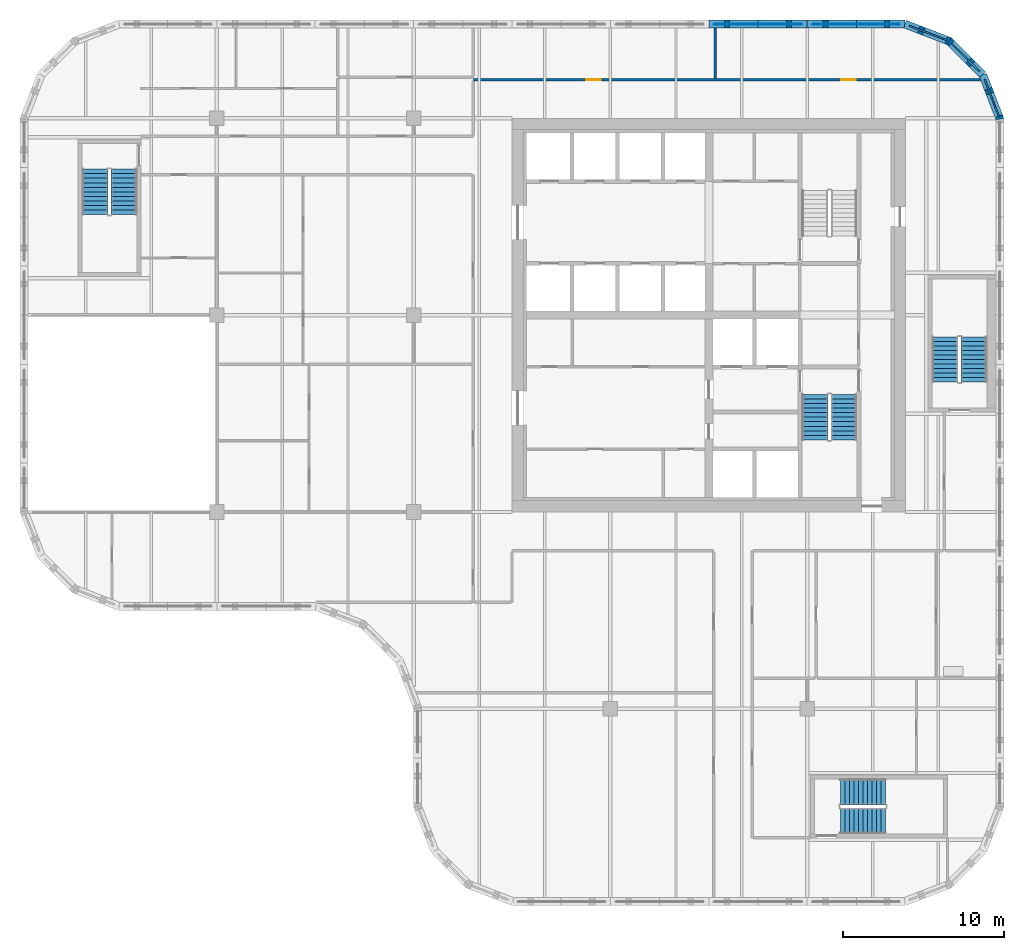
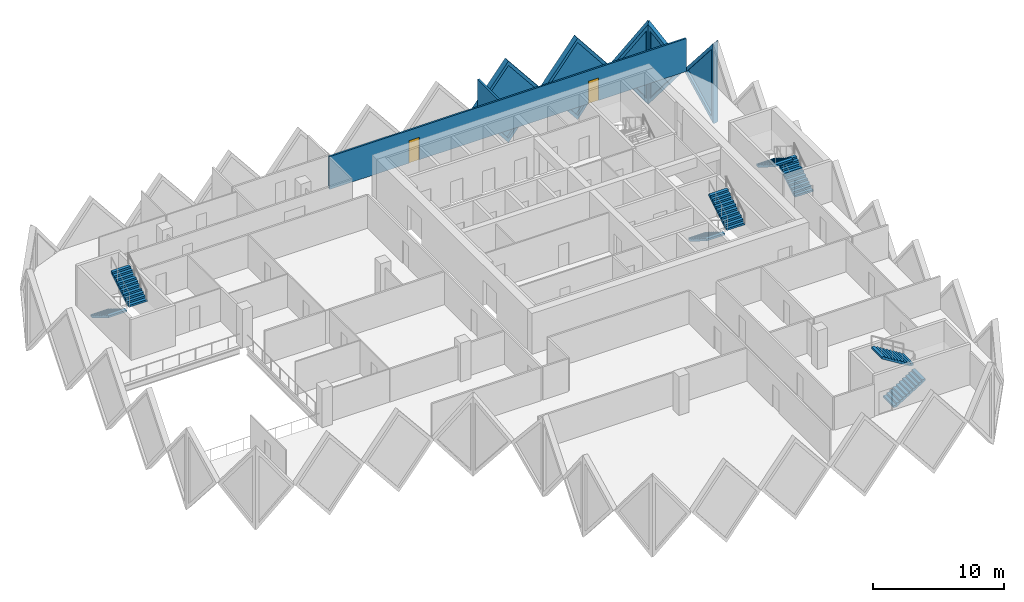
# One storey, part 10 of 13: 8 stair flights, 7 walls, 5 plates, 2 doors, 7 openings, 4 elements without a shape of their own.
"""IFC4 building model written with IfcOpenShell, lengths in metres."""

from ifc_helpers import new_model, si_unit, direction, frame, frame_2d, origin, place, context, subcontext, project, spatial, polyline, rectangle, outline, extrude, faceted_brep, source, transform, mapped, material, layer, layer_set, type_object, element, fill, aggregate, save


model = new_model("IFC4")

# Units and contexts
model_context = context("Model", 3, precision=1e-05, world=origin(), true_north=direction((0.0, 1.0)))
body_context = subcontext(model_context, "Body", "Model", "MODEL_VIEW")
ifc_project = project(units=[si_unit("LENGTHUNIT", "METRE"), si_unit("AREAUNIT", "SQUARE_METRE"), si_unit("VOLUMEUNIT", "CUBIC_METRE"), si_unit("PLANEANGLEUNIT", "RADIAN"), si_unit("MASSUNIT", "GRAM", prefix="KILO")], contexts=[model_context])

# Site, building, storey
site_placement = place(None, origin())
site = spatial("IfcSite", under=ifc_project, at=site_placement, CompositionType="ELEMENT")
building_placement = place(site_placement, origin())
building = spatial("IfcBuilding", under=site, at=building_placement, Name="Tessera Gate Towers", CompositionType="ELEMENT")
storey_placement = place(building_placement, frame((0.0, 0.0, 131.60009765625)))
storey = spatial("IfcBuildingStorey", under=building, at=storey_placement, Name="L32", CompositionType="ELEMENT", Elevation=131.60009765625)

# Wall, openings, doors
ifc_material_1 = material(Name="Gypsum board on steel studs, mineral wool", Category="steel")
ifc_layer_1 = layer(ifc_material_1, 0.14990234375)
ifc_layer_set_1 = layer_set([ifc_layer_1], Name="CORRIDOR WALL 150")
wall_type_1 = type_object("IfcWallType", Name="CORRIDOR WALL 150", PredefinedType="PARTITIONING", material=ifc_layer_set_1)
wall_1_placement = place(storey_placement, frame((28.10009765625, 51.199951171875, 0.0), z_axis=(0.0, 0.0, 1.0), x_axis=(1.0, 0.0, 0.0)))
wall_1 = element("IfcWall", 1, at=wall_1_placement, inside=storey, type_object=wall_type_1, Name="T1-L32-PW-046", PredefinedType="PARTITIONING", context=body_context, shape_type="SweptSolid", body=[
    extrude(rectangle(XDim=31.438232421875, YDim=0.14990234375, at=frame_2d((15.71923828125, 0.0))), origin(), (0.0, 0.0, 1.0), 3.06689453125),
])
shared_shape_1 = source(origin(), body_context, "Body", "SweptSolid", [
    extrude(rectangle(XDim=0.89990234375, YDim=2.10009765625, at=frame_2d((0.449951171875, 1.050048828125))), frame((0.0, 0.0849609375, 0.0), z_axis=(0.0, -1.0, 0.0), x_axis=(1.0, 0.0, 0.0)), (0.0, 0.0, 1.0), 0.169921875),
])
opening_1_placement = place(wall_1_placement, frame((7.0, 0.0, 0.0)))
opening_1 = element("IfcOpeningElement", 2, at=opening_1_placement, cuts=wall_1, Name="Opening D890FD60-A11-08", PredefinedType="OPENING", context=body_context, shape_type="MappedRepresentation", body=[
    mapped(shared_shape_1, transform((0.0, 0.0, 0.0), scale=1.0)),
])
opening_2_placement = place(wall_1_placement, frame((22.800048828125, 0.0, 0.0)))
opening_2 = element("IfcOpeningElement", 3, at=opening_2_placement, cuts=wall_1, Name="Opening D890FD60-A11-09", PredefinedType="OPENING", context=body_context, shape_type="MappedRepresentation", body=[
    mapped(shared_shape_1, transform((0.0, 0.0, 0.0), scale=1.0)),
])
ifc_material_2 = material(Name="Timber door leaf in steel frame", Category="steel")
door_type = type_object("IfcDoorType", Name="CORRIDOR DOOR 900 FD60", OperationType="NOTDEFINED", PredefinedType="DOOR", material=ifc_material_2)
shared_shape_2 = source(origin(), body_context, "Body", "SweptSolid", [
    extrude(rectangle(XDim=0.89990234375, YDim=2.10009765625, at=frame_2d((0.449951171875, 1.050048828125))), frame((0.0, 0.02490234375, 0.0), z_axis=(0.0, -1.0, 0.0), x_axis=(1.0, 0.0, 0.0)), (0.0, 0.0, 1.0), 0.050048828125),
])
door_1_placement = place(opening_1_placement, origin())
door_1 = element("IfcDoor", 4, at=door_1_placement, inside=storey, type_object=door_type, Name="T1-L32-PD-024", OperationType="SINGLE_SWING_LEFT", OverallHeight=2.10009765625, OverallWidth=0.89990234375, PredefinedType="DOOR", context=body_context, shape_type="MappedRepresentation", body=[
    mapped(shared_shape_2, transform((0.0, 0.0, 0.0), scale=1.0)),
])
fill(opening_1, door_1)
door_2_placement = place(opening_2_placement, origin())
door_2 = element("IfcDoor", 5, at=door_2_placement, inside=storey, type_object=door_type, Name="T1-L32-PD-025", OperationType="SINGLE_SWING_LEFT", OverallHeight=2.10009765625, OverallWidth=0.89990234375, PredefinedType="DOOR", context=body_context, shape_type="MappedRepresentation", body=[
    mapped(shared_shape_2, transform((0.0, 0.0, 0.0), scale=1.0)),
])
fill(opening_2, door_2)

# Wall
ifc_material_3 = material(Name="Gypsum board on steel studs, mineral wool", Category="steel")
ifc_layer_2 = layer(ifc_material_3, 0.14990234375)
ifc_layer_set_2 = layer_set([ifc_layer_2], Name="TENANCY WALL 150")
wall_type_2 = type_object("IfcWallType", Name="TENANCY WALL 150", PredefinedType="PARTITIONING", material=ifc_layer_set_2)
wall_2_placement = place(storey_placement, frame((43.10009765625, 51.27587890625, 0.0), z_axis=(0.0, 0.0, 1.0), x_axis=(0.0, 1.0, 0.0)))
element("IfcWall", 6, at=wall_2_placement, inside=storey, type_object=wall_type_2, Name="T1-L32-PW-047", PredefinedType="PARTITIONING", context=body_context, shape_type="SweptSolid", body=[
    extrude(rectangle(XDim=3.1240234375, YDim=0.14990234375, at=frame_2d((1.56201171875, 0.0))), origin(), (0.0, 0.0, 1.0), 3.06689453125),
])

# Wall, opening, plate
ifc_material_4 = material(Name="Precast concrete C60/75 white", Category="concrete")
ifc_layer_3 = layer(ifc_material_4, 0.5)
ifc_layer_set_3 = layer_set([ifc_layer_3], Name="TS1 tessera")
wall_type_3 = type_object("IfcWallType", Name="TS1 tessera", PredefinedType="SOLIDWALL", material=ifc_layer_set_3)
shared_shape_3 = source(origin(), body_context, "Body", "Brep", [
    faceted_brep([(3.00341796875, -0.25, 0.0), (6.053466796875, -0.25, 3.800048828125), (3.00341796875, -0.25, 7.599853515625), (0.0, -0.25, 3.800048828125), (0.046630859375, 0.25, 3.85888671875), (3.00341796875, 0.25, 7.599853515625), (6.053466796875, 0.25, 3.800048828125), (3.00341796875, 0.25, 0.0), (0.046630859375, 0.25, 3.7412109375), (0.0, 0.0, 3.800048828125)], [[[0, 1, 2, 3]], [[4, 5, 6, 7, 8]], [[7, 6, 1, 0]], [[6, 5, 2, 1]], [[5, 4, 9, 3, 2]], [[8, 7, 0, 3, 9]], [[8, 9, 4]]]),
])
wall_3_placement = place(storey_placement, frame((54.853515625, 54.64990234375, -3.800048828125), z_axis=(0.0, 0.0, 1.0), x_axis=(-1.0, 0.0, 0.0)))
wall_3 = element("IfcWall", 7, at=wall_3_placement, inside=storey, type_object=wall_type_3, Name="Precast tessera T1 TS1-0539", PredefinedType="SOLIDWALL", context=body_context, shape_type="MappedRepresentation", body=[
    mapped(shared_shape_3, transform((0.0, 0.0, 0.0), scale=1.0)),
])
shared_shape_4 = source(origin(), body_context, "Body", "SweptSolid", [
    extrude(outline(polyline([(3.0048828125, 0.401123046875), (5.73291015625, 3.800048828125), (3.0048828125, 7.19873046875), (0.318603515625, 3.800048828125), (3.0048828125, 0.401123046875)])), frame((0.0, 0.260009765625, 0.0), z_axis=(0.0, -1.0, 0.0), x_axis=(1.0, 0.0, 0.0)), (0.0, 0.0, 1.0), 0.52001953125),
])
opening_3_placement = place(wall_3_placement, origin())
opening_3 = element("IfcOpeningElement", 8, at=opening_3_placement, cuts=wall_3, Name="Opening T1-PL2-1099", PredefinedType="OPENING", context=body_context, shape_type="MappedRepresentation", body=[
    mapped(shared_shape_4, transform((0.0, 0.0, 0.0), scale=1.0)),
])
ifc_material_5 = material(Name="Low-e laminated glass", Category="glass")
ifc_layer_4 = layer(ifc_material_5, 0.06005859375)
ifc_layer_set_4 = layer_set([ifc_layer_4], Name="PL2 rhombic pane")
plate_type = type_object("IfcPlateType", Name="PL2 rhombic pane", PredefinedType="SHEET", material=ifc_layer_set_4)
shared_shape_5 = source(origin(), body_context, "Body", "SweptSolid", [
    extrude(outline(polyline([(3.0048828125, 0.401123046875), (5.73291015625, 3.800048828125), (3.0048828125, 7.19873046875), (0.318603515625, 3.800048828125), (3.0048828125, 0.401123046875)])), frame((0.0, 0.030029296875, 0.0), z_axis=(0.0, -1.0, 0.0), x_axis=(1.0, 0.0, 0.0)), (0.0, 0.0, 1.0), 0.06005859375),
])
plate_1_placement = place(opening_3_placement, origin())
plate_1 = element("IfcPlate", 9, at=plate_1_placement, inside=storey, type_object=plate_type, Name="Glass pane T1 PL2-1099", PredefinedType="SHEET", context=body_context, shape_type="MappedRepresentation", body=[
    mapped(shared_shape_5, transform((0.0, 0.0, 0.0), scale=1.0)),
])
fill(opening_3, plate_1)

shared_shape_6 = source(origin(), body_context, "Body", "SweptSolid", [
    extrude(outline(polyline([(3.050048828125, 0.0), (6.10009765625, 3.800048828125), (3.050048828125, 7.599853515625), (0.0, 3.800048828125), (3.050048828125, 0.0)])), frame((0.0, 0.25, 0.0), z_axis=(0.0, -1.0, 0.0), x_axis=(1.0, 0.0, 0.0)), (0.0, 0.0, 1.0), 0.5),
])
wall_4_placement = place(storey_placement, frame((48.800048828125, 54.64990234375, -3.800048828125), z_axis=(0.0, 0.0, 1.0), x_axis=(-1.0, 0.0, 0.0)))
wall_4 = element("IfcWall", 10, at=wall_4_placement, inside=storey, type_object=wall_type_3, Name="Precast tessera T1 TS1-0540", PredefinedType="SOLIDWALL", context=body_context, shape_type="MappedRepresentation", body=[
    mapped(shared_shape_6, transform((0.0, 0.0, 0.0), scale=1.0)),
])
shared_shape_7 = source(origin(), body_context, "Body", "SweptSolid", [
    extrude(outline(polyline([(3.050048828125, 0.3994140625), (5.779541015625, 3.800048828125), (3.050048828125, 7.200439453125), (0.320556640625, 3.800048828125), (3.050048828125, 0.3994140625)])), frame((0.0, 0.260009765625, 0.0), z_axis=(0.0, -1.0, 0.0), x_axis=(1.0, 0.0, 0.0)), (0.0, 0.0, 1.0), 0.52001953125),
])
opening_4_placement = place(wall_4_placement, origin())
opening_4 = element("IfcOpeningElement", 11, at=opening_4_placement, cuts=wall_4, Name="Opening T1-PL2-1100", PredefinedType="OPENING", context=body_context, shape_type="MappedRepresentation", body=[
    mapped(shared_shape_7, transform((0.0, 0.0, 0.0), scale=1.0)),
])
shared_shape_8 = source(origin(), body_context, "Body", "SweptSolid", [
    extrude(outline(polyline([(3.050048828125, 0.3994140625), (5.779541015625, 3.800048828125), (3.050048828125, 7.200439453125), (0.320556640625, 3.800048828125), (3.050048828125, 0.3994140625)])), frame((0.0, 0.030029296875, 0.0), z_axis=(0.0, -1.0, 0.0), x_axis=(1.0, 0.0, 0.0)), (0.0, 0.0, 1.0), 0.06005859375),
])
plate_2_placement = place(opening_4_placement, origin())
plate_2 = element("IfcPlate", 12, at=plate_2_placement, inside=storey, type_object=plate_type, Name="Glass pane T1 PL2-1100", PredefinedType="SHEET", context=body_context, shape_type="MappedRepresentation", body=[
    mapped(shared_shape_8, transform((0.0, 0.0, 0.0), scale=1.0)),
])
fill(opening_4, plate_2)

ifc_material_6 = material(Name="Precast concrete C60/75 white", Category="concrete")
ifc_layer_5 = layer(ifc_material_6, 0.5)
ifc_layer_set_5 = layer_set([ifc_layer_5], Name="TS3 corner tessera")
wall_type_4 = type_object("IfcWallType", Name="TS3 corner tessera", PredefinedType="SOLIDWALL", material=ifc_layer_set_5)
shared_shape_9 = source(origin(), body_context, "Body", "Brep", [
    faceted_brep([(0.046630859375, -0.25, 0.0), (2.9970703125, -0.25, 3.800048828125), (0.046630859375, -0.25, 7.599853515625), (0.0, -0.25, 7.541015625), (0.0, -0.25, 0.058837890625), (0.09326171875, 0.25, 7.539794921875), (2.9443359375, 0.25, 3.8681640625), (2.9443359375, 0.25, 3.73193359375), (0.09326171875, 0.25, 0.06005859375), (2.9970703125, 0.00048828125, 3.800048828125), (0.046630859375, 0.0, 0.0), (0.046630859375, 0.0, 7.599853515625)], [[[0, 1, 2, 3, 4]], [[5, 6, 7, 8]], [[8, 7, 9, 1, 0, 10]], [[6, 5, 11, 2, 1, 9]], [[3, 2, 11]], [[10, 0, 4]], [[8, 10, 4, 3, 11, 5]], [[7, 6, 9]]]),
])
wall_5_placement = place(storey_placement, frame((60.766845703125, 48.7099609375, -3.800048828125), z_axis=(0.0, 0.0, 1.0), x_axis=(-0.359901446078, 0.932990326376, 0.0)))
wall_5 = element("IfcWall", 13, at=wall_5_placement, inside=storey, type_object=wall_type_4, Name="Precast corner tessera T1 TS3-0726", PredefinedType="SOLIDWALL", context=body_context, shape_type="MappedRepresentation", body=[
    mapped(shared_shape_9, transform((0.0, 0.0, 0.0), scale=1.0)),
])
shared_shape_10 = source(origin(), body_context, "Body", "SweptSolid", [
    extrude(outline(polyline([(0.24658203125, 0.665283203125), (2.6806640625, 3.800048828125), (0.24658203125, 6.934814453125), (0.24658203125, 0.665283203125)])), frame((0.0, 0.260009765625, 0.0), z_axis=(0.0, -1.0, 0.0), x_axis=(1.0, 0.0, 0.0)), (0.0, 0.0, 1.0), 0.52001953125),
])
opening_5_placement = place(wall_5_placement, origin())
opening_5 = element("IfcOpeningElement", 14, at=opening_5_placement, cuts=wall_5, Name="Opening T1-PL2-1096", PredefinedType="OPENING", context=body_context, shape_type="MappedRepresentation", body=[
    mapped(shared_shape_10, transform((0.0, 0.0, 0.0), scale=1.0)),
])
shared_shape_11 = source(origin(), body_context, "Body", "SweptSolid", [
    extrude(outline(polyline([(0.24658203125, 0.665283203125), (2.6806640625, 3.800048828125), (0.24658203125, 6.934814453125), (0.24658203125, 0.665283203125)])), frame((0.0, 0.030029296875, 0.0), z_axis=(0.0, -1.0, 0.0), x_axis=(1.0, 0.0, 0.0)), (0.0, 0.0, 1.0), 0.06005859375),
])
plate_3_placement = place(opening_5_placement, origin())
plate_3 = element("IfcPlate", 15, at=plate_3_placement, inside=storey, type_object=plate_type, Name="Glass pane T1 PL2-1096", PredefinedType="SHEET", context=body_context, shape_type="MappedRepresentation", body=[
    mapped(shared_shape_11, transform((0.0, 0.0, 0.0), scale=1.0)),
])
fill(opening_5, plate_3)

shared_shape_12 = source(origin(), body_context, "Body", "Brep", [
    faceted_brep([(2.944091796875, -0.25, 0.0), (2.9970703125, -0.25, 0.068115234375), (2.9970703125, -0.25, 7.53173828125), (2.944091796875, -0.25, 7.599853515625), (0.0, -0.25, 3.800048828125), (0.052978515625, 0.25, 3.868408203125), (2.89111328125, 0.25, 7.53173828125), (2.89111328125, 0.25, 0.068115234375), (0.052978515625, 0.25, 3.731689453125), (2.944091796875, 0.000244140625, 0.0), (2.944091796875, 0.000244140625, 7.599853515625), (0.0, 0.0, 3.800048828125)], [[[0, 1, 2, 3, 4]], [[5, 6, 7, 8]], [[1, 0, 9]], [[10, 3, 2]], [[6, 5, 11, 4, 3, 10]], [[8, 7, 9, 0, 4, 11]], [[8, 11, 5]], [[1, 9, 7, 6, 10, 2]]]),
])
wall_6_placement = place(storey_placement, frame((59.68798828125, 51.50634765625, -3.800048828125), z_axis=(0.0, 0.0, 1.0), x_axis=(-0.707106781187, 0.707106781187, 0.0)))
wall_6 = element("IfcWall", 16, at=wall_6_placement, inside=storey, type_object=wall_type_4, Name="Precast corner tessera T1 TS3-0727", PredefinedType="SOLIDWALL", context=body_context, shape_type="MappedRepresentation", body=[
    mapped(shared_shape_12, transform((0.0, 0.0, 0.0), scale=1.0)),
])
shared_shape_13 = source(origin(), body_context, "Body", "SweptSolid", [
    extrude(outline(polyline([(2.744140625, 6.93359375), (0.316162109375, 3.800048828125), (2.744140625, 0.666259765625), (2.744140625, 6.93359375)])), frame((0.0, 0.260009765625, 0.0), z_axis=(0.0, -1.0, 0.0), x_axis=(1.0, 0.0, 0.0)), (0.0, 0.0, 1.0), 0.52001953125),
])
opening_6_placement = place(wall_6_placement, origin())
opening_6 = element("IfcOpeningElement", 17, at=opening_6_placement, cuts=wall_6, Name="Opening T1-PL2-1097", PredefinedType="OPENING", context=body_context, shape_type="MappedRepresentation", body=[
    mapped(shared_shape_13, transform((0.0, 0.0, 0.0), scale=1.0)),
])
shared_shape_14 = source(origin(), body_context, "Body", "SweptSolid", [
    extrude(outline(polyline([(2.744140625, 6.93359375), (0.316162109375, 3.800048828125), (2.744140625, 0.666259765625), (2.744140625, 6.93359375)])), frame((0.0, 0.030029296875, 0.0), z_axis=(0.0, -1.0, 0.0), x_axis=(1.0, 0.0, 0.0)), (0.0, 0.0, 1.0), 0.06005859375),
])
plate_4_placement = place(opening_6_placement, origin())
plate_4 = element("IfcPlate", 18, at=plate_4_placement, inside=storey, type_object=plate_type, Name="Glass pane T1 PL2-1097", PredefinedType="SHEET", context=body_context, shape_type="MappedRepresentation", body=[
    mapped(shared_shape_14, transform((0.0, 0.0, 0.0), scale=1.0)),
])
fill(opening_6, plate_4)

shared_shape_15 = source(origin(), body_context, "Body", "Brep", [
    faceted_brep([(0.052978515625, -0.25, 0.0), (3.00341796875, -0.25, 3.800048828125), (0.052978515625, -0.25, 7.599853515625), (0.0, -0.25, 7.531494140625), (0.0, -0.25, 0.068359375), (0.10595703125, 0.25, 7.53173828125), (2.95703125, 0.25, 3.85986328125), (2.95703125, 0.25, 3.740234375), (0.10595703125, 0.25, 0.068115234375), (3.00341796875, 0.00048828125, 3.800048828125), (0.052978515625, 0.0, 0.0), (0.052978515625, 0.0, 7.599853515625)], [[[0, 1, 2, 3, 4]], [[5, 6, 7, 8]], [[8, 7, 9, 1, 0, 10]], [[6, 5, 11, 2, 1, 9]], [[3, 2, 11]], [[10, 0, 4]], [[8, 10, 4, 3, 11, 5]], [[7, 6, 9]]]),
])
wall_7_placement = place(storey_placement, frame((57.65576171875, 53.569091796875, -3.800048828125), z_axis=(0.0, 0.0, 1.0), x_axis=(-0.933007896601, 0.359855894603, 0.0)))
wall_7 = element("IfcWall", 19, at=wall_7_placement, inside=storey, type_object=wall_type_4, Name="Precast corner tessera T1 TS3-0728", PredefinedType="SOLIDWALL", context=body_context, shape_type="MappedRepresentation", body=[
    mapped(shared_shape_15, transform((0.0, 0.0, 0.0), scale=1.0)),
])
shared_shape_16 = source(origin(), body_context, "Body", "SweptSolid", [
    extrude(outline(polyline([(0.2529296875, 0.665283203125), (2.68701171875, 3.800048828125), (0.2529296875, 6.934814453125), (0.2529296875, 0.665283203125)])), frame((0.0, 0.260009765625, 0.0), z_axis=(0.0, -1.0, 0.0), x_axis=(1.0, 0.0, 0.0)), (0.0, 0.0, 1.0), 0.52001953125),
])
opening_7_placement = place(wall_7_placement, origin())
opening_7 = element("IfcOpeningElement", 20, at=opening_7_placement, cuts=wall_7, Name="Opening T1-PL2-1098", PredefinedType="OPENING", context=body_context, shape_type="MappedRepresentation", body=[
    mapped(shared_shape_16, transform((0.0, 0.0, 0.0), scale=1.0)),
])
shared_shape_17 = source(origin(), body_context, "Body", "SweptSolid", [
    extrude(outline(polyline([(0.2529296875, 0.665283203125), (2.68701171875, 3.800048828125), (0.2529296875, 6.934814453125), (0.2529296875, 0.665283203125)])), frame((0.0, 0.030029296875, 0.0), z_axis=(0.0, -1.0, 0.0), x_axis=(1.0, 0.0, 0.0)), (0.0, 0.0, 1.0), 0.06005859375),
])
plate_5_placement = place(opening_7_placement, origin())
plate_5 = element("IfcPlate", 21, at=plate_5_placement, inside=storey, type_object=plate_type, Name="Glass pane T1 PL2-1098", PredefinedType="SHEET", context=body_context, shape_type="MappedRepresentation", body=[
    mapped(shared_shape_17, transform((0.0, 0.0, 0.0), scale=1.0)),
])
fill(opening_7, plate_5)

# Stair, stair flights
ifc_material_7 = material(Name="Concrete C40/50", Category="concrete")
stair_type_1 = type_object("IfcStairType", Name="EXIT STAIR ST1 1600", PredefinedType="HALF_TURN_STAIR", material=ifc_material_7)
stair_1_placement = place(storey_placement, origin())
stair_1 = element("IfcStair", 22, at=stair_1_placement, inside=storey, type_object=stair_type_1, Name="L32 Protected Exit Stair ST1", PredefinedType="HALF_TURN_STAIR")
ifc_material_8 = material(Name="Concrete C40/50", Category="concrete")
stair_flight_type_1 = type_object("IfcStairFlightType", Name="EXIT STAIR FLIGHT ST1 1600", PredefinedType="STRAIGHT", material=ifc_material_8)
stair_flight_1_placement = place(storey_placement, frame((49.27490234375, 31.675048828125, 0.0), z_axis=(0.0, 0.0, 1.0), x_axis=(0.0, -1.0, 0.0)))
stair_flight_1 = element("IfcStairFlight", 23, at=stair_flight_1_placement, type_object=stair_flight_type_1, Name="ST1 flight 1", NumberOfRisers=11, NumberOfTreads=10, PredefinedType="STRAIGHT", RiserHeight=0.172727273, TreadLength=0.28, context=body_context, shape_type="SweptSolid", body=[
    extrude(outline(polyline([(0.0, 0.0), (0.0, 0.172607421875), (0.280029296875, 0.172607421875), (0.280029296875, 0.345458984375), (0.56005859375, 0.345458984375), (0.56005859375, 0.51806640625), (0.840087890625, 0.51806640625), (0.840087890625, 0.69091796875), (1.1201171875, 0.69091796875), (1.1201171875, 0.863525390625), (1.39990234375, 0.863525390625), (1.39990234375, 1.036376953125), (1.679931640625, 1.036376953125), (1.679931640625, 1.208984375), (1.9599609375, 1.208984375), (1.9599609375, 1.3818359375), (2.239990234375, 1.3818359375), (2.239990234375, 1.554443359375), (2.52001953125, 1.554443359375), (2.52001953125, 1.727294921875), (2.800048828125, 1.727294921875), (2.800048828125, 1.89990234375), (2.800048828125, 1.551025390625), (0.285400390625, 0.0), (0.0, 0.0)])), frame((0.0, 0.800048828125, 0.0), z_axis=(0.0, -1.0, 0.0), x_axis=(1.0, 0.0, 0.0)), (0.0, 0.0, 1.0), 1.60009765625),
])
stair_flight_2_placement = place(storey_placement, frame((51.074951171875, 28.875, 1.89990234375), z_axis=(0.0, 0.0, 1.0), x_axis=(0.0, 1.0, 0.0)))
stair_flight_2 = element("IfcStairFlight", 24, at=stair_flight_2_placement, type_object=stair_flight_type_1, Name="ST1 flight 2", NumberOfRisers=11, NumberOfTreads=10, PredefinedType="STRAIGHT", RiserHeight=0.172727273, TreadLength=0.28, context=body_context, shape_type="SweptSolid", body=[
    extrude(outline(polyline([(0.0, 0.0), (0.0, 0.172607421875), (0.280029296875, 0.172607421875), (0.280029296875, 0.345458984375), (0.56005859375, 0.345458984375), (0.56005859375, 0.51806640625), (0.840087890625, 0.51806640625), (0.840087890625, 0.69091796875), (1.1201171875, 0.69091796875), (1.1201171875, 0.863525390625), (1.39990234375, 0.863525390625), (1.39990234375, 1.036376953125), (1.679931640625, 1.036376953125), (1.679931640625, 1.208984375), (1.9599609375, 1.208984375), (1.9599609375, 1.3818359375), (2.239990234375, 1.3818359375), (2.239990234375, 1.554443359375), (2.52001953125, 1.554443359375), (2.52001953125, 1.727294921875), (2.800048828125, 1.727294921875), (2.800048828125, 1.89990234375), (2.800048828125, 1.551025390625), (0.285400390625, 0.0), (0.0, 0.0)])), frame((0.0, 0.800048828125, 0.0), z_axis=(0.0, -1.0, 0.0), x_axis=(1.0, 0.0, 0.0)), (0.0, 0.0, 1.0), 1.60009765625),
])
aggregate(stair_1, [stair_flight_1, stair_flight_2])

ifc_material_9 = material(Name="Concrete C40/50", Category="concrete")
stair_type_2 = type_object("IfcStairType", Name="EXIT STAIR ST3 1600", PredefinedType="HALF_TURN_STAIR", material=ifc_material_9)
stair_2_placement = place(storey_placement, origin())
stair_2 = element("IfcStair", 25, at=stair_2_placement, inside=storey, type_object=stair_type_2, Name="L32 West Exit Stair ST3", PredefinedType="HALF_TURN_STAIR")
ifc_material_10 = material(Name="Concrete C40/50", Category="concrete")
stair_flight_type_2 = type_object("IfcStairFlightType", Name="EXIT STAIR FLIGHT ST3 1600", PredefinedType="STRAIGHT", material=ifc_material_10)
stair_flight_3_placement = place(storey_placement, frame((4.64990234375, 45.64990234375, 0.0), z_axis=(0.0, 0.0, 1.0), x_axis=(0.0, -1.0, 0.0)))
stair_flight_3 = element("IfcStairFlight", 26, at=stair_flight_3_placement, type_object=stair_flight_type_2, Name="ST3 flight 1", NumberOfRisers=11, NumberOfTreads=10, PredefinedType="STRAIGHT", RiserHeight=0.172727273, TreadLength=0.28, context=body_context, shape_type="SweptSolid", body=[
    extrude(outline(polyline([(0.0, 0.0), (0.0, 0.172607421875), (0.280029296875, 0.172607421875), (0.280029296875, 0.345458984375), (0.56005859375, 0.345458984375), (0.56005859375, 0.51806640625), (0.840087890625, 0.51806640625), (0.840087890625, 0.69091796875), (1.1201171875, 0.69091796875), (1.1201171875, 0.863525390625), (1.39990234375, 0.863525390625), (1.39990234375, 1.036376953125), (1.679931640625, 1.036376953125), (1.679931640625, 1.208984375), (1.9599609375, 1.208984375), (1.9599609375, 1.3818359375), (2.239990234375, 1.3818359375), (2.239990234375, 1.554443359375), (2.52001953125, 1.554443359375), (2.52001953125, 1.727294921875), (2.800048828125, 1.727294921875), (2.800048828125, 1.89990234375), (2.800048828125, 1.551025390625), (0.285400390625, 0.0), (0.0, 0.0)])), frame((0.0, 0.800048828125, 0.0), z_axis=(0.0, -1.0, 0.0), x_axis=(1.0, 0.0, 0.0)), (0.0, 0.0, 1.0), 1.60009765625),
])
stair_flight_4_placement = place(storey_placement, frame((6.449951171875, 42.85009765625, 1.89990234375), z_axis=(0.0, 0.0, 1.0), x_axis=(0.0, 1.0, 0.0)))
stair_flight_4 = element("IfcStairFlight", 27, at=stair_flight_4_placement, type_object=stair_flight_type_2, Name="ST3 flight 2", NumberOfRisers=11, NumberOfTreads=10, PredefinedType="STRAIGHT", RiserHeight=0.172727273, TreadLength=0.28, context=body_context, shape_type="SweptSolid", body=[
    extrude(outline(polyline([(0.0, 0.0), (0.0, 0.172607421875), (0.280029296875, 0.172607421875), (0.280029296875, 0.345458984375), (0.56005859375, 0.345458984375), (0.56005859375, 0.51806640625), (0.840087890625, 0.51806640625), (0.840087890625, 0.69091796875), (1.1201171875, 0.69091796875), (1.1201171875, 0.863525390625), (1.39990234375, 0.863525390625), (1.39990234375, 1.036376953125), (1.679931640625, 1.036376953125), (1.679931640625, 1.208984375), (1.9599609375, 1.208984375), (1.9599609375, 1.3818359375), (2.239990234375, 1.3818359375), (2.239990234375, 1.554443359375), (2.52001953125, 1.554443359375), (2.52001953125, 1.727294921875), (2.800048828125, 1.727294921875), (2.800048828125, 1.89990234375), (2.800048828125, 1.551025390625), (0.285400390625, 0.0), (0.0, 0.0)])), frame((0.0, 0.800048828125, 0.0), z_axis=(0.0, -1.0, 0.0), x_axis=(1.0, 0.0, 0.0)), (0.0, 0.0, 1.0), 1.60009765625),
])
aggregate(stair_2, [stair_flight_3, stair_flight_4])

ifc_material_11 = material(Name="Concrete C40/50", Category="concrete")
stair_type_3 = type_object("IfcStairType", Name="EXIT STAIR ST4 1600", PredefinedType="HALF_TURN_STAIR", material=ifc_material_11)
stair_3_placement = place(storey_placement, origin())
stair_3 = element("IfcStair", 28, at=stair_3_placement, inside=storey, type_object=stair_type_3, Name="L32 South Exit Stair ST4", PredefinedType="HALF_TURN_STAIR")
ifc_material_12 = material(Name="Concrete C40/50", Category="concrete")
stair_flight_type_3 = type_object("IfcStairFlightType", Name="EXIT STAIR FLIGHT ST4 1600", PredefinedType="STRAIGHT", material=ifc_material_12)
stair_flight_5_placement = place(storey_placement, frame((50.85009765625, 5.25, 0.0), z_axis=(0.0, 0.0, 1.0), x_axis=(1.0, 0.0, 0.0)))
stair_flight_5 = element("IfcStairFlight", 29, at=stair_flight_5_placement, type_object=stair_flight_type_3, Name="ST4 flight 1", NumberOfRisers=11, NumberOfTreads=10, PredefinedType="STRAIGHT", RiserHeight=0.172727273, TreadLength=0.28, context=body_context, shape_type="SweptSolid", body=[
    extrude(outline(polyline([(0.0, 0.0), (0.0, 0.172607421875), (0.280029296875, 0.172607421875), (0.280029296875, 0.345458984375), (0.56005859375, 0.345458984375), (0.56005859375, 0.51806640625), (0.840087890625, 0.51806640625), (0.840087890625, 0.69091796875), (1.1201171875, 0.69091796875), (1.1201171875, 0.863525390625), (1.39990234375, 0.863525390625), (1.39990234375, 1.036376953125), (1.679931640625, 1.036376953125), (1.679931640625, 1.208984375), (1.9599609375, 1.208984375), (1.9599609375, 1.3818359375), (2.239990234375, 1.3818359375), (2.239990234375, 1.554443359375), (2.52001953125, 1.554443359375), (2.52001953125, 1.727294921875), (2.800048828125, 1.727294921875), (2.800048828125, 1.89990234375), (2.800048828125, 1.551025390625), (0.285400390625, 0.0), (0.0, 0.0)])), frame((0.0, 0.800048828125, 0.0), z_axis=(0.0, -1.0, 0.0), x_axis=(1.0, 0.0, 0.0)), (0.0, 0.0, 1.0), 1.60009765625),
])
stair_flight_6_placement = place(storey_placement, frame((53.64990234375, 7.050048828125, 1.89990234375), z_axis=(0.0, 0.0, 1.0), x_axis=(-1.0, 0.0, 0.0)))
stair_flight_6 = element("IfcStairFlight", 30, at=stair_flight_6_placement, type_object=stair_flight_type_3, Name="ST4 flight 2", NumberOfRisers=11, NumberOfTreads=10, PredefinedType="STRAIGHT", RiserHeight=0.172727273, TreadLength=0.28, context=body_context, shape_type="SweptSolid", body=[
    extrude(outline(polyline([(0.0, 0.0), (0.0, 0.172607421875), (0.280029296875, 0.172607421875), (0.280029296875, 0.345458984375), (0.56005859375, 0.345458984375), (0.56005859375, 0.51806640625), (0.840087890625, 0.51806640625), (0.840087890625, 0.69091796875), (1.1201171875, 0.69091796875), (1.1201171875, 0.863525390625), (1.39990234375, 0.863525390625), (1.39990234375, 1.036376953125), (1.679931640625, 1.036376953125), (1.679931640625, 1.208984375), (1.9599609375, 1.208984375), (1.9599609375, 1.3818359375), (2.239990234375, 1.3818359375), (2.239990234375, 1.554443359375), (2.52001953125, 1.554443359375), (2.52001953125, 1.727294921875), (2.800048828125, 1.727294921875), (2.800048828125, 1.89990234375), (2.800048828125, 1.551025390625), (0.285400390625, 0.0), (0.0, 0.0)])), frame((0.0, 0.800048828125, 0.0), z_axis=(0.0, -1.0, 0.0), x_axis=(1.0, 0.0, 0.0)), (0.0, 0.0, 1.0), 1.60009765625),
])
aggregate(stair_3, [stair_flight_5, stair_flight_6])

ifc_material_13 = material(Name="Concrete C40/50", Category="concrete")
stair_type_4 = type_object("IfcStairType", Name="EXIT STAIR ST5 1600", PredefinedType="HALF_TURN_STAIR", material=ifc_material_13)
stair_4_placement = place(storey_placement, origin())
stair_4 = element("IfcStair", 31, at=stair_4_placement, inside=storey, type_object=stair_type_4, Name="L32 East Exit Stair ST5", PredefinedType="HALF_TURN_STAIR")
ifc_material_14 = material(Name="Concrete C40/50", Category="concrete")
stair_flight_type_4 = type_object("IfcStairFlightType", Name="EXIT STAIR FLIGHT ST5 1600", PredefinedType="STRAIGHT", material=ifc_material_14)
stair_flight_7_placement = place(storey_placement, frame((59.14990234375, 32.449951171875, 0.0), z_axis=(0.0, 0.0, 1.0), x_axis=(0.0, 1.0, 0.0)))
stair_flight_7 = element("IfcStairFlight", 32, at=stair_flight_7_placement, type_object=stair_flight_type_4, Name="ST5 flight 1", NumberOfRisers=11, NumberOfTreads=10, PredefinedType="STRAIGHT", RiserHeight=0.172727273, TreadLength=0.28, context=body_context, shape_type="SweptSolid", body=[
    extrude(outline(polyline([(0.0, 0.0), (0.0, 0.172607421875), (0.280029296875, 0.172607421875), (0.280029296875, 0.345458984375), (0.56005859375, 0.345458984375), (0.56005859375, 0.51806640625), (0.840087890625, 0.51806640625), (0.840087890625, 0.69091796875), (1.1201171875, 0.69091796875), (1.1201171875, 0.863525390625), (1.39990234375, 0.863525390625), (1.39990234375, 1.036376953125), (1.679931640625, 1.036376953125), (1.679931640625, 1.208984375), (1.9599609375, 1.208984375), (1.9599609375, 1.3818359375), (2.239990234375, 1.3818359375), (2.239990234375, 1.554443359375), (2.52001953125, 1.554443359375), (2.52001953125, 1.727294921875), (2.800048828125, 1.727294921875), (2.800048828125, 1.89990234375), (2.800048828125, 1.551025390625), (0.285400390625, 0.0), (0.0, 0.0)])), frame((0.0, 0.800048828125, 0.0), z_axis=(0.0, -1.0, 0.0), x_axis=(1.0, 0.0, 0.0)), (0.0, 0.0, 1.0), 1.60009765625),
])
stair_flight_8_placement = place(storey_placement, frame((57.35009765625, 35.25, 1.89990234375), z_axis=(0.0, 0.0, 1.0), x_axis=(0.0, -1.0, 0.0)))
stair_flight_8 = element("IfcStairFlight", 33, at=stair_flight_8_placement, type_object=stair_flight_type_4, Name="ST5 flight 2", NumberOfRisers=11, NumberOfTreads=10, PredefinedType="STRAIGHT", RiserHeight=0.172727273, TreadLength=0.28, context=body_context, shape_type="SweptSolid", body=[
    extrude(outline(polyline([(0.0, 0.0), (0.0, 0.172607421875), (0.280029296875, 0.172607421875), (0.280029296875, 0.345458984375), (0.56005859375, 0.345458984375), (0.56005859375, 0.51806640625), (0.840087890625, 0.51806640625), (0.840087890625, 0.69091796875), (1.1201171875, 0.69091796875), (1.1201171875, 0.863525390625), (1.39990234375, 0.863525390625), (1.39990234375, 1.036376953125), (1.679931640625, 1.036376953125), (1.679931640625, 1.208984375), (1.9599609375, 1.208984375), (1.9599609375, 1.3818359375), (2.239990234375, 1.3818359375), (2.239990234375, 1.554443359375), (2.52001953125, 1.554443359375), (2.52001953125, 1.727294921875), (2.800048828125, 1.727294921875), (2.800048828125, 1.89990234375), (2.800048828125, 1.551025390625), (0.285400390625, 0.0), (0.0, 0.0)])), frame((0.0, 0.800048828125, 0.0), z_axis=(0.0, -1.0, 0.0), x_axis=(1.0, 0.0, 0.0)), (0.0, 0.0, 1.0), 1.60009765625),
])
aggregate(stair_4, [stair_flight_7, stair_flight_8])

save(model, "model.ifc")
